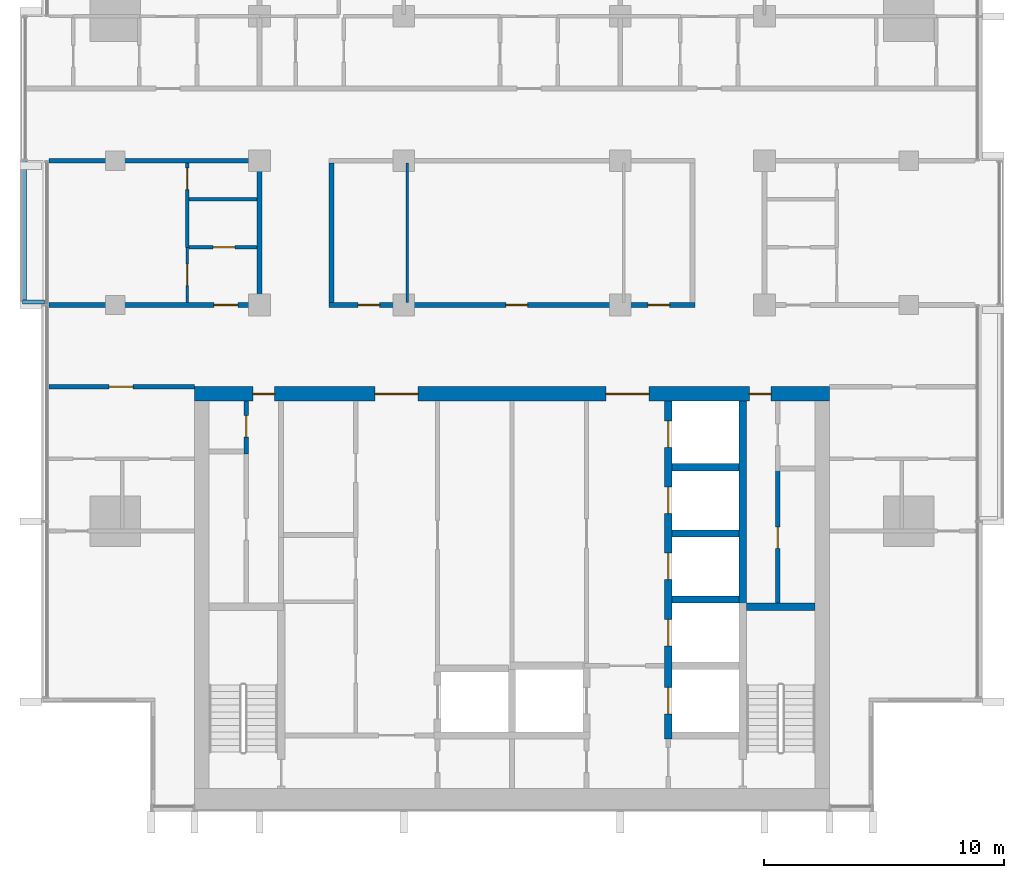
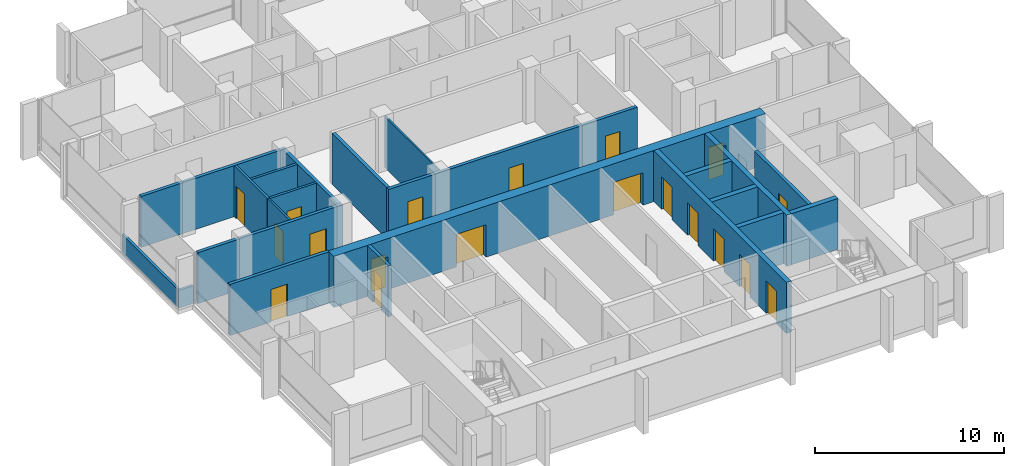
# One storey, part 8 of 16: 22 walls, 19 doors, 19 openings.
"""IFC4 building model written with IfcOpenShell, lengths in metres."""

from ifc_helpers import new_model, si_unit, direction, frame, frame_2d, origin, place, context, subcontext, project, spatial, rectangle, extrude, material, layer, layer_set, type_object, element, fill, save


model = new_model("IFC4")

# Units and contexts
model_context = context("Model", 3, precision=1e-05, world=origin(), true_north=direction((0.0, 1.0)))
body_context = subcontext(model_context, "Body", "Model", "MODEL_VIEW")
ifc_project = project(units=[si_unit("LENGTHUNIT", "METRE"), si_unit("AREAUNIT", "SQUARE_METRE"), si_unit("VOLUMEUNIT", "CUBIC_METRE"), si_unit("PLANEANGLEUNIT", "RADIAN"), si_unit("MASSUNIT", "GRAM", prefix="KILO")], contexts=[model_context])

# Site, building, storey
site_placement = place(None, origin())
site = spatial("IfcSite", under=ifc_project, at=site_placement, CompositionType="ELEMENT")
building_placement = place(site_placement, origin())
building = spatial("IfcBuilding", under=site, at=building_placement, Name="Finial Court Residences", CompositionType="ELEMENT")
storey_placement = place(building_placement, frame((0.0, 0.0, 219.5)))
storey = spatial("IfcBuildingStorey", under=building, at=storey_placement, Name="L55", CompositionType="ELEMENT", Elevation=219.5)

# Wall, openings, doors
ifc_material_1 = material(Name="Concrete C60/75", Category="concrete")
ifc_layer_1 = layer(ifc_material_1, 0.60009765625)
ifc_layer_set_1 = layer_set([ifc_layer_1], Name="Core outer wall 600 Concrete C60/75")
wall_type_1 = type_object("IfcWallType", Name="Core outer wall 600 Concrete C60/75", PredefinedType="SHEAR", material=ifc_layer_set_1)
wall_1_placement = place(storey_placement, frame((-13.199951171875, -8.199951171875, 0.0), z_axis=(0.0, 0.0, 1.0), x_axis=(1.0, 0.0, 0.0)))
wall_1 = element("IfcWall", 1, at=wall_1_placement, inside=storey, type_object=wall_type_1, Name="Core outer wall L55-02", PredefinedType="SHEAR", context=body_context, shape_type="SweptSolid", body=[
    extrude(rectangle(XDim=26.39990234375, YDim=0.60009765625, at=frame_2d((13.199951171875, 0.0))), origin(), (0.0, 0.0, 1.0), 3.300048828125),
])
opening_1_placement = place(wall_1_placement, frame((7.5, 0.0, 0.0)))
opening_1 = element("IfcOpeningElement", 2, at=opening_1_placement, cuts=wall_1, Name="Opening L55-C04", PredefinedType="OPENING", context=body_context, shape_type="SweptSolid", body=[
    extrude(rectangle(XDim=1.800048828125, YDim=2.10009765625, at=frame_2d((0.89990234375, 1.050048828125))), frame((0.0, 0.31005859375, 0.0), z_axis=(0.0, -1.0, 0.0), x_axis=(1.0, 0.0, 0.0)), (0.0, 0.0, 1.0), 0.6201171875),
])
opening_2_placement = place(wall_1_placement, frame((17.10009765625, 0.0, 0.0)))
opening_2 = element("IfcOpeningElement", 3, at=opening_2_placement, cuts=wall_1, Name="Opening L55-C05", PredefinedType="OPENING", context=body_context, shape_type="SweptSolid", body=[
    extrude(rectangle(XDim=1.800048828125, YDim=2.10009765625, at=frame_2d((0.89990234375, 1.050048828125))), frame((0.0, 0.31005859375, 0.0), z_axis=(0.0, -1.0, 0.0), x_axis=(1.0, 0.0, 0.0)), (0.0, 0.0, 1.0), 0.6201171875),
])
opening_3_placement = place(wall_1_placement, frame((2.425048828125, 0.0, 0.0)))
opening_3 = element("IfcOpeningElement", 4, at=opening_3_placement, cuts=wall_1, Name="Opening L55-C10", PredefinedType="OPENING", context=body_context, shape_type="SweptSolid", body=[
    extrude(rectangle(XDim=0.89990234375, YDim=2.10009765625, at=frame_2d((0.449951171875, 1.050048828125))), frame((0.0, 0.31005859375, 0.0), z_axis=(0.0, -1.0, 0.0), x_axis=(1.0, 0.0, 0.0)), (0.0, 0.0, 1.0), 0.6201171875),
])
opening_4_placement = place(wall_1_placement, frame((23.074951171875, 0.0, 0.0)))
opening_4 = element("IfcOpeningElement", 5, at=opening_4_placement, cuts=wall_1, Name="Opening L55-C11", PredefinedType="OPENING", context=body_context, shape_type="SweptSolid", body=[
    extrude(rectangle(XDim=0.89990234375, YDim=2.10009765625, at=frame_2d((0.449951171875, 1.050048828125))), frame((0.0, 0.31005859375, 0.0), z_axis=(0.0, -1.0, 0.0), x_axis=(1.0, 0.0, 0.0)), (0.0, 0.0, 1.0), 0.6201171875),
])
ifc_material_2 = material(Name="Steel fire door", Category="steel")
door_type_1 = type_object("IfcDoorType", Name="Lift lobby door 1800 x 2100 EI 60", OperationType="DOUBLE_DOOR_SINGLE_SWING", PredefinedType="DOOR", material=ifc_material_2)
door_1_placement = place(opening_1_placement, origin())
door_1 = element("IfcDoor", 6, at=door_1_placement, inside=storey, type_object=door_type_1, Name="Lift lobby door L55-C04", OperationType="DOUBLE_DOOR_SINGLE_SWING", OverallHeight=2.10009765625, OverallWidth=1.800048828125, PredefinedType="DOOR", context=body_context, shape_type="SweptSolid", body=[
    extrude(rectangle(XDim=1.800048828125, YDim=2.10009765625, at=frame_2d((0.89990234375, 1.050048828125))), frame((0.0, 0.02490234375, 0.0), z_axis=(0.0, -1.0, 0.0), x_axis=(1.0, 0.0, 0.0)), (0.0, 0.0, 1.0), 0.050048828125),
])
fill(opening_1, door_1)
door_2_placement = place(opening_2_placement, origin())
door_2 = element("IfcDoor", 7, at=door_2_placement, inside=storey, type_object=door_type_1, Name="Lift lobby door L55-C05", OperationType="DOUBLE_DOOR_SINGLE_SWING", OverallHeight=2.10009765625, OverallWidth=1.800048828125, PredefinedType="DOOR", context=body_context, shape_type="SweptSolid", body=[
    extrude(rectangle(XDim=1.800048828125, YDim=2.10009765625, at=frame_2d((0.89990234375, 1.050048828125))), frame((0.0, 0.02490234375, 0.0), z_axis=(0.0, -1.0, 0.0), x_axis=(1.0, 0.0, 0.0)), (0.0, 0.0, 1.0), 0.050048828125),
])
fill(opening_2, door_2)
door_type_2 = type_object("IfcDoorType", Name="Riser room door 900 x 2100 EI 90", OperationType="NOTDEFINED", PredefinedType="DOOR", material=ifc_material_2)
door_3_placement = place(opening_3_placement, origin())
door_3 = element("IfcDoor", 8, at=door_3_placement, inside=storey, type_object=door_type_2, Name="Riser room door L55-C10", OperationType="SINGLE_SWING_RIGHT", OverallHeight=2.10009765625, OverallWidth=0.89990234375, PredefinedType="DOOR", context=body_context, shape_type="SweptSolid", body=[
    extrude(rectangle(XDim=0.89990234375, YDim=2.10009765625, at=frame_2d((0.449951171875, 1.050048828125))), frame((0.0, 0.02490234375, 0.0), z_axis=(0.0, -1.0, 0.0), x_axis=(1.0, 0.0, 0.0)), (0.0, 0.0, 1.0), 0.050048828125),
])
fill(opening_3, door_3)
door_4_placement = place(opening_4_placement, origin())
door_4 = element("IfcDoor", 9, at=door_4_placement, inside=storey, type_object=door_type_2, Name="Riser room door L55-C11", OperationType="SINGLE_SWING_LEFT", OverallHeight=2.10009765625, OverallWidth=0.89990234375, PredefinedType="DOOR", context=body_context, shape_type="SweptSolid", body=[
    extrude(rectangle(XDim=0.89990234375, YDim=2.10009765625, at=frame_2d((0.449951171875, 1.050048828125))), frame((0.0, 0.02490234375, 0.0), z_axis=(0.0, -1.0, 0.0), x_axis=(1.0, 0.0, 0.0)), (0.0, 0.0, 1.0), 0.050048828125),
])
fill(opening_4, door_4)

# Wall, opening, door
ifc_material_3 = material(Name="Gypsum board")
ifc_layer_2 = layer(ifc_material_3, 0.02490234375)
ifc_material_4 = material(Name="Acoustic mineral wool in double frame")
ifc_layer_3 = layer(ifc_material_4, 0.14990234375)
ifc_layer_4 = layer(ifc_material_3, 0.02490234375)
ifc_layer_set_2 = layer_set([ifc_layer_2, ifc_layer_3, ifc_layer_4], Name="Corridor wall 200, 1 hour")
wall_type_2 = type_object("IfcWallType", Name="Corridor wall 200, 1 hour", PredefinedType="PARTITIONING", material=ifc_layer_set_2)
wall_2_placement = place(storey_placement, frame((-19.262451171875, -7.89990234375, 0.0), z_axis=(0.0, 0.0, 1.0), x_axis=(1.0, 0.0, 0.0)))
wall_2 = element("IfcWall", 10, at=wall_2_placement, inside=storey, type_object=wall_type_2, Name="Partition L55-004", PredefinedType="PARTITIONING", context=body_context, shape_type="SweptSolid", body=[
    extrude(rectangle(XDim=6.0625, YDim=0.199951171875, at=frame_2d((3.03125, 0.0))), origin(), (0.0, 0.0, 1.0), 3.300048828125),
])
opening_5_placement = place(wall_2_placement, frame((2.511962890625, 0.0, 0.0)))
opening_5 = element("IfcOpeningElement", 11, at=opening_5_placement, cuts=wall_2, Name="Opening L55-D007", PredefinedType="OPENING", context=body_context, shape_type="SweptSolid", body=[
    extrude(rectangle(XDim=1.0, YDim=2.10009765625, at=frame_2d((0.5, 1.050048828125))), frame((0.0, 0.10986328125, 0.0), z_axis=(0.0, -1.0, 0.0), x_axis=(1.0, 0.0, 0.0)), (0.0, 0.0, 1.0), 0.219970703125),
])
ifc_material_5 = material(Name="Timber door leaf in hollow metal frame", Category="wood")
door_type_3 = type_object("IfcDoorType", Name="Fire door set 1000 x 2100, 30 minutes", OperationType="SINGLE_SWING_LEFT", PredefinedType="DOOR", material=ifc_material_5)
door_5_placement = place(opening_5_placement, origin())
door_5 = element("IfcDoor", 12, at=door_5_placement, inside=storey, type_object=door_type_3, Name="Door L55-D007", OperationType="SINGLE_SWING_RIGHT", OverallHeight=2.10009765625, OverallWidth=1.0, PredefinedType="DOOR", context=body_context, shape_type="SweptSolid", body=[
    extrude(rectangle(XDim=1.0, YDim=2.10009765625, at=frame_2d((0.5, 1.050048828125))), frame((0.0, 0.02490234375, 0.0), z_axis=(0.0, -1.0, 0.0), x_axis=(1.0, 0.0, 0.0)), (0.0, 0.0, 1.0), 0.050048828125),
])
fill(opening_5, door_5)

wall_3_placement = place(storey_placement, frame((-19.262451171875, -4.5, 0.0), z_axis=(0.0, 0.0, 1.0), x_axis=(1.0, 0.0, 0.0)))
wall_3 = element("IfcWall", 13, at=wall_3_placement, inside=storey, type_object=wall_type_2, Name="Partition L55-006", PredefinedType="PARTITIONING", context=body_context, shape_type="SweptSolid", body=[
    extrude(rectangle(XDim=8.862548828125, YDim=0.199951171875, at=frame_2d((4.43115234375, 0.0))), origin(), (0.0, 0.0, 1.0), 3.300048828125),
])
opening_6_placement = place(wall_3_placement, frame((6.862060546875, 0.0, 0.0)))
opening_6 = element("IfcOpeningElement", 14, at=opening_6_placement, cuts=wall_3, Name="Opening L55-D009", PredefinedType="OPENING", context=body_context, shape_type="SweptSolid", body=[
    extrude(rectangle(XDim=1.0, YDim=2.10009765625, at=frame_2d((0.5, 1.050048828125))), frame((0.0, 0.10986328125, 0.0), z_axis=(0.0, -1.0, 0.0), x_axis=(1.0, 0.0, 0.0)), (0.0, 0.0, 1.0), 0.219970703125),
])
door_6_placement = place(opening_6_placement, origin())
door_6 = element("IfcDoor", 15, at=door_6_placement, inside=storey, type_object=door_type_3, Name="Door L55-D009", OperationType="SINGLE_SWING_LEFT", OverallHeight=2.10009765625, OverallWidth=1.0, PredefinedType="DOOR", context=body_context, shape_type="SweptSolid", body=[
    extrude(rectangle(XDim=1.0, YDim=2.10009765625, at=frame_2d((0.5, 1.050048828125))), frame((0.0, 0.02490234375, 0.0), z_axis=(0.0, -1.0, 0.0), x_axis=(1.0, 0.0, 0.0)), (0.0, 0.0, 1.0), 0.050048828125),
])
fill(opening_6, door_6)

# Wall, openings, doors
wall_4_placement = place(storey_placement, frame((-7.60009765625, -4.5, 0.0), z_axis=(0.0, 0.0, 1.0), x_axis=(1.0, 0.0, 0.0)))
wall_4 = element("IfcWall", 16, at=wall_4_placement, inside=storey, type_object=wall_type_2, Name="Partition L55-007", PredefinedType="PARTITIONING", context=body_context, shape_type="SweptSolid", body=[
    extrude(rectangle(XDim=15.2001953125, YDim=0.199951171875, at=frame_2d((7.60009765625, 0.0))), origin(), (0.0, 0.0, 1.0), 3.300048828125),
])
opening_7_placement = place(wall_4_placement, frame((1.199951171875, 0.0, 0.0)))
opening_7 = element("IfcOpeningElement", 17, at=opening_7_placement, cuts=wall_4, Name="Opening L55-D010", PredefinedType="OPENING", context=body_context, shape_type="SweptSolid", body=[
    extrude(rectangle(XDim=0.89990234375, YDim=2.10009765625, at=frame_2d((0.449951171875, 1.050048828125))), frame((0.0, 0.10986328125, 0.0), z_axis=(0.0, -1.0, 0.0), x_axis=(1.0, 0.0, 0.0)), (0.0, 0.0, 1.0), 0.219970703125),
])
opening_8_placement = place(wall_4_placement, frame((7.35009765625, 0.0, 0.0)))
opening_8 = element("IfcOpeningElement", 18, at=opening_8_placement, cuts=wall_4, Name="Opening L55-D011", PredefinedType="OPENING", context=body_context, shape_type="SweptSolid", body=[
    extrude(rectangle(XDim=0.89990234375, YDim=2.10009765625, at=frame_2d((0.449951171875, 1.050048828125))), frame((0.0, 0.10986328125, 0.0), z_axis=(0.0, -1.0, 0.0), x_axis=(1.0, 0.0, 0.0)), (0.0, 0.0, 1.0), 0.219970703125),
])
opening_9_placement = place(wall_4_placement, frame((13.25, 0.0, 0.0)))
opening_9 = element("IfcOpeningElement", 19, at=opening_9_placement, cuts=wall_4, Name="Opening L55-D012", PredefinedType="OPENING", context=body_context, shape_type="SweptSolid", body=[
    extrude(rectangle(XDim=0.89990234375, YDim=2.10009765625, at=frame_2d((0.449951171875, 1.050048828125))), frame((0.0, 0.10986328125, 0.0), z_axis=(0.0, -1.0, 0.0), x_axis=(1.0, 0.0, 0.0)), (0.0, 0.0, 1.0), 0.219970703125),
])
door_type_4 = type_object("IfcDoorType", Name="Fire door set 900 x 2100, 30 minutes", OperationType="SINGLE_SWING_LEFT", PredefinedType="DOOR", material=ifc_material_5)
door_7_placement = place(opening_7_placement, origin())
door_7 = element("IfcDoor", 20, at=door_7_placement, inside=storey, type_object=door_type_4, Name="Door L55-D010", OperationType="SINGLE_SWING_RIGHT", OverallHeight=2.10009765625, OverallWidth=0.89990234375, PredefinedType="DOOR", context=body_context, shape_type="SweptSolid", body=[
    extrude(rectangle(XDim=0.89990234375, YDim=2.10009765625, at=frame_2d((0.449951171875, 1.050048828125))), frame((0.0, 0.02490234375, 0.0), z_axis=(0.0, -1.0, 0.0), x_axis=(1.0, 0.0, 0.0)), (0.0, 0.0, 1.0), 0.050048828125),
])
fill(opening_7, door_7)
door_8_placement = place(opening_8_placement, origin())
door_8 = element("IfcDoor", 21, at=door_8_placement, inside=storey, type_object=door_type_4, Name="Door L55-D011", OperationType="SINGLE_SWING_LEFT", OverallHeight=2.10009765625, OverallWidth=0.89990234375, PredefinedType="DOOR", context=body_context, shape_type="SweptSolid", body=[
    extrude(rectangle(XDim=0.89990234375, YDim=2.10009765625, at=frame_2d((0.449951171875, 1.050048828125))), frame((0.0, 0.02490234375, 0.0), z_axis=(0.0, -1.0, 0.0), x_axis=(1.0, 0.0, 0.0)), (0.0, 0.0, 1.0), 0.050048828125),
])
fill(opening_8, door_8)
door_9_placement = place(opening_9_placement, origin())
door_9 = element("IfcDoor", 22, at=door_9_placement, inside=storey, type_object=door_type_4, Name="Door L55-D012", OperationType="SINGLE_SWING_LEFT", OverallHeight=2.10009765625, OverallWidth=0.89990234375, PredefinedType="DOOR", context=body_context, shape_type="SweptSolid", body=[
    extrude(rectangle(XDim=0.89990234375, YDim=2.10009765625, at=frame_2d((0.449951171875, 1.050048828125))), frame((0.0, 0.02490234375, 0.0), z_axis=(0.0, -1.0, 0.0), x_axis=(1.0, 0.0, 0.0)), (0.0, 0.0, 1.0), 0.050048828125),
])
fill(opening_9, door_9)

# Walls
wall_5_placement = place(storey_placement, frame((-19.262451171875, 1.5, 0.0), z_axis=(0.0, 0.0, 1.0), x_axis=(1.0, 0.0, 0.0)))
element("IfcWall", 23, at=wall_5_placement, inside=storey, type_object=wall_type_2, Name="Partition L55-013", PredefinedType="PARTITIONING", context=body_context, shape_type="SweptSolid", body=[
    extrude(rectangle(XDim=8.862548828125, YDim=0.199951171875, at=frame_2d((4.43115234375, 0.0))), origin(), (0.0, 0.0, 1.0), 3.300048828125),
])
for number, where, z_axis, x_axis, name in (
    (24, (-10.5, -4.39990234375, 0.0), (0.0, 0.0, 1.0), (0.0, 1.0, 0.0), "Partition L55-038"),
    (25, (-7.5, -4.39990234375, 0.0), (0.0, 0.0, 1.0), (0.0, 1.0, 0.0), "Partition L55-042"),
):
    element("IfcWall", number, at=place(storey_placement, frame(where, z_axis=z_axis, x_axis=x_axis)), inside=storey, type_object=wall_type_2, Name=name, PredefinedType="PARTITIONING", context=body_context, shape_type="SweptSolid", body=[
        extrude(rectangle(XDim=5.7998046875, YDim=0.199951171875, at=frame_2d((2.89990234375, 0.0))), origin(), (0.0, 0.0, 1.0), 3.300048828125),
    ])

# Wall, opening, door
ifc_layer_5 = layer(ifc_material_3, 0.012451171875)
ifc_material_6 = material(Name="Mineral wool in light-gauge frame")
ifc_layer_6 = layer(ifc_material_6, 0.074951171875)
ifc_layer_7 = layer(ifc_material_3, 0.012451171875)
ifc_layer_set_3 = layer_set([ifc_layer_5, ifc_layer_6, ifc_layer_7], Name="Gypsum board partition 100")
wall_type_3 = type_object("IfcWallType", Name="Gypsum board partition 100", PredefinedType="PARTITIONING", material=ifc_layer_set_3)
wall_6_placement = place(storey_placement, frame((-13.5, -4.39990234375, 0.0), z_axis=(0.0, 0.0, 1.0), x_axis=(0.0, 1.0, 0.0)))
wall_6 = element("IfcWall", 26, at=wall_6_placement, inside=storey, type_object=wall_type_3, Name="Partition L55-035", PredefinedType="PARTITIONING", context=body_context, shape_type="SweptSolid", body=[
    extrude(rectangle(XDim=2.2998046875, YDim=0.10009765625, at=frame_2d((1.14990234375, 0.0))), origin(), (0.0, 0.0, 1.0), 3.300048828125),
])
opening_10_placement = place(wall_6_placement, frame((0.699951171875, 0.0, 0.0)))
opening_10 = element("IfcOpeningElement", 27, at=opening_10_placement, cuts=wall_6, Name="Opening L55-D027", PredefinedType="OPENING", context=body_context, shape_type="SweptSolid", body=[
    extrude(rectangle(XDim=0.89990234375, YDim=2.10009765625, at=frame_2d((0.449951171875, 1.050048828125))), frame((0.0, 0.06005859375, 0.0), z_axis=(0.0, -1.0, 0.0), x_axis=(1.0, 0.0, 0.0)), (0.0, 0.0, 1.0), 0.1201171875),
])
ifc_material_7 = material(Name="Timber door leaf in timber frame", Category="wood")
door_type_5 = type_object("IfcDoorType", Name="Door set 900 x 2100", OperationType="SINGLE_SWING_LEFT", PredefinedType="DOOR", material=ifc_material_7)
door_10_placement = place(opening_10_placement, origin())
door_10 = element("IfcDoor", 28, at=door_10_placement, inside=storey, type_object=door_type_5, Name="Door L55-D027", OperationType="SINGLE_SWING_LEFT", OverallHeight=2.10009765625, OverallWidth=0.89990234375, PredefinedType="DOOR", context=body_context, shape_type="SweptSolid", body=[
    extrude(rectangle(XDim=0.89990234375, YDim=2.10009765625, at=frame_2d((0.449951171875, 1.050048828125))), frame((0.0, 0.02490234375, 0.0), z_axis=(0.0, -1.0, 0.0), x_axis=(1.0, 0.0, 0.0)), (0.0, 0.0, 1.0), 0.050048828125),
])
fill(opening_10, door_10)

# Wall
wall_7_placement = place(storey_placement, frame((-4.35009765625, -4.39990234375, 0.0), z_axis=(0.0, 0.0, 1.0), x_axis=(0.0, 1.0, 0.0)))
element("IfcWall", 29, at=wall_7_placement, inside=storey, type_object=wall_type_3, Name="Partition L55-047", PredefinedType="PARTITIONING", context=body_context, shape_type="SweptSolid", body=[
    extrude(rectangle(XDim=5.7998046875, YDim=0.10009765625, at=frame_2d((2.89990234375, 0.0))), origin(), (0.0, 0.0, 1.0), 3.300048828125),
])

# Wall, opening, door
ifc_material_8 = material(Name="Moisture-resistant gypsum board")
ifc_layer_8 = layer(ifc_material_8, 0.012451171875)
ifc_layer_9 = layer(ifc_material_6, 0.125)
ifc_layer_10 = layer(ifc_material_8, 0.012451171875)
ifc_layer_set_4 = layer_set([ifc_layer_8, ifc_layer_9, ifc_layer_10], Name="Gypsum board wet-area partition 150")
wall_type_4 = type_object("IfcWallType", Name="Gypsum board wet-area partition 150", PredefinedType="PARTITIONING", material=ifc_layer_set_4)
wall_8_placement = place(storey_placement, frame((-13.425048828125, -2.10009765625, 0.0), z_axis=(0.0, 0.0, 1.0), x_axis=(1.0, 0.0, 0.0)))
wall_8 = element("IfcWall", 30, at=wall_8_placement, inside=storey, type_object=wall_type_4, Name="Partition L55-009", PredefinedType="PARTITIONING", context=body_context, shape_type="SweptSolid", body=[
    extrude(rectangle(XDim=2.824951171875, YDim=0.14990234375, at=frame_2d((1.41259765625, 0.0))), origin(), (0.0, 0.0, 1.0), 3.300048828125),
])
opening_11_placement = place(wall_8_placement, frame((1.0, 0.0, 0.0)))
opening_11 = element("IfcOpeningElement", 31, at=opening_11_placement, cuts=wall_8, Name="Opening L55-D014", PredefinedType="OPENING", context=body_context, shape_type="SweptSolid", body=[
    extrude(rectangle(XDim=0.89990234375, YDim=2.10009765625, at=frame_2d((0.449951171875, 1.050048828125))), frame((0.0, 0.0849609375, 0.0), z_axis=(0.0, -1.0, 0.0), x_axis=(1.0, 0.0, 0.0)), (0.0, 0.0, 1.0), 0.169921875),
])
door_11_placement = place(opening_11_placement, origin())
door_11 = element("IfcDoor", 32, at=door_11_placement, inside=storey, type_object=door_type_5, Name="Door L55-D014", OperationType="SINGLE_SWING_LEFT", OverallHeight=2.10009765625, OverallWidth=0.89990234375, PredefinedType="DOOR", context=body_context, shape_type="SweptSolid", body=[
    extrude(rectangle(XDim=0.89990234375, YDim=2.10009765625, at=frame_2d((0.449951171875, 1.050048828125))), frame((0.0, 0.02490234375, 0.0), z_axis=(0.0, -1.0, 0.0), x_axis=(1.0, 0.0, 0.0)), (0.0, 0.0, 1.0), 0.050048828125),
])
fill(opening_11, door_11)

# Wall
wall_9_placement = place(storey_placement, frame((-13.425048828125, -0.10009765625, 0.0), z_axis=(0.0, 0.0, 1.0), x_axis=(1.0, 0.0, 0.0)))
element("IfcWall", 33, at=wall_9_placement, inside=storey, type_object=wall_type_4, Name="Partition L55-011", PredefinedType="PARTITIONING", context=body_context, shape_type="SweptSolid", body=[
    extrude(rectangle(XDim=2.824951171875, YDim=0.14990234375, at=frame_2d((1.41259765625, 0.0))), origin(), (0.0, 0.0, 1.0), 3.300048828125),
])

# Wall, opening, door
wall_10_placement = place(storey_placement, frame((-13.5, -2.10009765625, 0.0), z_axis=(0.0, 0.0, 1.0), x_axis=(0.0, 1.0, 0.0)))
wall_10 = element("IfcWall", 34, at=wall_10_placement, inside=storey, type_object=wall_type_4, Name="Partition L55-036", PredefinedType="PARTITIONING", context=body_context, shape_type="SweptSolid", body=[
    extrude(rectangle(XDim=3.5, YDim=0.14990234375, at=frame_2d((1.75, 0.0))), origin(), (0.0, 0.0, 1.0), 3.300048828125),
])
opening_12_placement = place(wall_10_placement, frame((2.39990234375, 0.0, 0.0)))
opening_12 = element("IfcOpeningElement", 35, at=opening_12_placement, cuts=wall_10, Name="Opening L55-D028", PredefinedType="OPENING", context=body_context, shape_type="SweptSolid", body=[
    extrude(rectangle(XDim=0.89990234375, YDim=2.10009765625, at=frame_2d((0.449951171875, 1.050048828125))), frame((0.0, 0.0849609375, 0.0), z_axis=(0.0, -1.0, 0.0), x_axis=(1.0, 0.0, 0.0)), (0.0, 0.0, 1.0), 0.169921875),
])
door_12_placement = place(opening_12_placement, origin())
door_12 = element("IfcDoor", 36, at=door_12_placement, inside=storey, type_object=door_type_5, Name="Door L55-D028", OperationType="SINGLE_SWING_RIGHT", OverallHeight=2.10009765625, OverallWidth=0.89990234375, PredefinedType="DOOR", context=body_context, shape_type="SweptSolid", body=[
    extrude(rectangle(XDim=0.89990234375, YDim=2.10009765625, at=frame_2d((0.449951171875, 1.050048828125))), frame((0.0, 0.02490234375, 0.0), z_axis=(0.0, -1.0, 0.0), x_axis=(1.0, 0.0, 0.0)), (0.0, 0.0, 1.0), 0.050048828125),
])
fill(opening_12, door_12)

# Walls
ifc_material_9 = material(Name="Concrete C35/45", Category="concrete")
ifc_layer_11 = layer(ifc_material_9, 0.14990234375)
ifc_layer_set_5 = layer_set([ifc_layer_11], Name="Ledge parapet, Concrete C35/45 150")
wall_type_5 = type_object("IfcWallType", Name="Ledge parapet, Concrete C35/45 150", PredefinedType="PARAPET", material=ifc_layer_set_5)
wall_11_placement = place(storey_placement, frame((-19.447509765625, -4.375, 0.0), z_axis=(0.0, 0.0, 1.0), x_axis=(-1.0, 0.0, 0.0)))
element("IfcWall", 37, at=wall_11_placement, inside=storey, type_object=wall_type_5, Name="E-L55-LED1-P1", PredefinedType="PARAPET", context=body_context, shape_type="SweptSolid", body=[
    extrude(rectangle(XDim=0.902587890625, YDim=0.14990234375, at=frame_2d((0.451171875, 0.0))), origin(), (0.0, 0.0, 1.0), 1.14990234375),
])
wall_12_placement = place(storey_placement, frame((-20.27490234375, -4.300048828125, 0.0), z_axis=(0.0, 0.0, 1.0), x_axis=(0.0, 1.0, 0.0)))
element("IfcWall", 38, at=wall_12_placement, inside=storey, type_object=wall_type_5, Name="E-L55-LED1-P2", PredefinedType="PARAPET", context=body_context, shape_type="SweptSolid", body=[
    extrude(rectangle(XDim=5.8525390625, YDim=0.14990234375, at=frame_2d((2.92626953125, 0.0))), origin(), (0.0, 0.0, 1.0), 1.14990234375),
])
ifc_layer_12 = layer(ifc_material_1, 0.300048828125)
ifc_layer_set_6 = layer_set([ifc_layer_12], Name="Lift shaft and stair wall 300 Concrete C60/75")
wall_type_6 = type_object("IfcWallType", Name="Lift shaft and stair wall 300 Concrete C60/75", PredefinedType="SHEAR", material=ifc_layer_set_6)
wall_13_placement = place(storey_placement, frame((9.75, -17.050048828125, 0.0), z_axis=(0.0, 0.0, 1.0), x_axis=(1.0, 0.0, 0.0)))
element("IfcWall", 39, at=wall_13_placement, inside=storey, type_object=wall_type_6, Name="Core wall L55-09", PredefinedType="SHEAR", context=body_context, shape_type="SweptSolid", body=[
    extrude(rectangle(XDim=2.85009765625, YDim=0.300048828125, at=frame_2d((1.425048828125, 0.0))), origin(), (0.0, 0.0, 1.0), 3.300048828125),
])
for number, where, z_axis, x_axis, name in (
    (40, (6.64990234375, -16.75, 0.0), (0.0, 0.0, 1.0), (1.0, 0.0, 0.0), "Core wall L55-11"),
    (41, (6.64990234375, -14.0, 0.0), (0.0, 0.0, 1.0), (1.0, 0.0, 0.0), "Core wall L55-13"),
    (42, (6.64990234375, -11.25, 0.0), (0.0, 0.0, 1.0), (1.0, 0.0, 0.0), "Core wall L55-15"),
):
    element("IfcWall", number, at=place(storey_placement, frame(where, z_axis=z_axis, x_axis=x_axis)), inside=storey, type_object=wall_type_6, Name=name, PredefinedType="SHEAR", context=body_context, shape_type="SweptSolid", body=[
        extrude(rectangle(XDim=2.800048828125, YDim=0.300048828125, at=frame_2d((1.39990234375, 0.0))), origin(), (0.0, 0.0, 1.0), 3.300048828125),
    ])

# Wall, openings, doors
wall_14_placement = place(storey_placement, frame((6.5, -22.550048828125, 0.0), z_axis=(0.0, 0.0, 1.0), x_axis=(0.0, 1.0, 0.0)))
wall_14 = element("IfcWall", 43, at=wall_14_placement, inside=storey, type_object=wall_type_6, Name="Core wall L55-34", PredefinedType="SHEAR", context=body_context, shape_type="SweptSolid", body=[
    extrude(rectangle(XDim=14.050048828125, YDim=0.300048828125, at=frame_2d((7.02490234375, 0.0))), origin(), (0.0, 0.0, 1.0), 3.300048828125),
])
opening_13_placement = place(wall_14_placement, frame((1.050048828125, 0.0, 0.0)))
opening_13 = element("IfcOpeningElement", 44, at=opening_13_placement, cuts=wall_14, Name="Opening L55-LD02", PredefinedType="OPENING", context=body_context, shape_type="SweptSolid", body=[
    extrude(rectangle(XDim=1.10009765625, YDim=2.10009765625, at=frame_2d((0.550048828125, 1.050048828125))), frame((0.0, 0.159912109375, 0.0), z_axis=(0.0, -1.0, 0.0), x_axis=(1.0, 0.0, 0.0)), (0.0, 0.0, 1.0), 0.320068359375),
])
opening_14_placement = place(wall_14_placement, frame((3.875, 0.0, 0.0)))
opening_14 = element("IfcOpeningElement", 45, at=opening_14_placement, cuts=wall_14, Name="Opening L55-LD03", PredefinedType="OPENING", context=body_context, shape_type="SweptSolid", body=[
    extrude(rectangle(XDim=1.10009765625, YDim=2.10009765625, at=frame_2d((0.550048828125, 1.050048828125))), frame((0.0, 0.159912109375, 0.0), z_axis=(0.0, -1.0, 0.0), x_axis=(1.0, 0.0, 0.0)), (0.0, 0.0, 1.0), 0.320068359375),
])
opening_15_placement = place(wall_14_placement, frame((6.625, 0.0, 0.0)))
opening_15 = element("IfcOpeningElement", 46, at=opening_15_placement, cuts=wall_14, Name="Opening L55-LD04", PredefinedType="OPENING", context=body_context, shape_type="SweptSolid", body=[
    extrude(rectangle(XDim=1.10009765625, YDim=2.10009765625, at=frame_2d((0.550048828125, 1.050048828125))), frame((0.0, 0.159912109375, 0.0), z_axis=(0.0, -1.0, 0.0), x_axis=(1.0, 0.0, 0.0)), (0.0, 0.0, 1.0), 0.320068359375),
])
opening_16_placement = place(wall_14_placement, frame((9.375, 0.0, 0.0)))
opening_16 = element("IfcOpeningElement", 47, at=opening_16_placement, cuts=wall_14, Name="Opening L55-LD05", PredefinedType="OPENING", context=body_context, shape_type="SweptSolid", body=[
    extrude(rectangle(XDim=1.10009765625, YDim=2.10009765625, at=frame_2d((0.550048828125, 1.050048828125))), frame((0.0, 0.159912109375, 0.0), z_axis=(0.0, -1.0, 0.0), x_axis=(1.0, 0.0, 0.0)), (0.0, 0.0, 1.0), 0.320068359375),
])
opening_17_placement = place(wall_14_placement, frame((12.125, 0.0, 0.0)))
opening_17 = element("IfcOpeningElement", 48, at=opening_17_placement, cuts=wall_14, Name="Opening L55-LD06", PredefinedType="OPENING", context=body_context, shape_type="SweptSolid", body=[
    extrude(rectangle(XDim=1.10009765625, YDim=2.10009765625, at=frame_2d((0.550048828125, 1.050048828125))), frame((0.0, 0.159912109375, 0.0), z_axis=(0.0, -1.0, 0.0), x_axis=(1.0, 0.0, 0.0)), (0.0, 0.0, 1.0), 0.320068359375),
])
ifc_material_10 = material(Name="Stainless steel lift door", Category="steel")
door_type_6 = type_object("IfcDoorType", Name="Lift landing door 1100 x 2100 EI 90", OperationType="DOUBLE_DOOR_SLIDING", PredefinedType="DOOR", material=ifc_material_10)
door_13_placement = place(opening_13_placement, origin())
door_13 = element("IfcDoor", 49, at=door_13_placement, inside=storey, type_object=door_type_6, Name="Lift landing door FF2 L55", OperationType="DOUBLE_DOOR_SLIDING", OverallHeight=2.10009765625, OverallWidth=1.10009765625, PredefinedType="DOOR", context=body_context, shape_type="SweptSolid", body=[
    extrude(rectangle(XDim=1.10009765625, YDim=2.10009765625, at=frame_2d((0.550048828125, 1.050048828125))), frame((0.0, 0.02490234375, 0.0), z_axis=(0.0, -1.0, 0.0), x_axis=(1.0, 0.0, 0.0)), (0.0, 0.0, 1.0), 0.050048828125),
])
fill(opening_13, door_13)
door_14_placement = place(opening_14_placement, origin())
door_14 = element("IfcDoor", 50, at=door_14_placement, inside=storey, type_object=door_type_6, Name="Lift landing door HR5 L55", OperationType="DOUBLE_DOOR_SLIDING", OverallHeight=2.10009765625, OverallWidth=1.10009765625, PredefinedType="DOOR", context=body_context, shape_type="SweptSolid", body=[
    extrude(rectangle(XDim=1.10009765625, YDim=2.10009765625, at=frame_2d((0.550048828125, 1.050048828125))), frame((0.0, 0.02490234375, 0.0), z_axis=(0.0, -1.0, 0.0), x_axis=(1.0, 0.0, 0.0)), (0.0, 0.0, 1.0), 0.050048828125),
])
fill(opening_14, door_14)
door_15_placement = place(opening_15_placement, origin())
door_15 = element("IfcDoor", 51, at=door_15_placement, inside=storey, type_object=door_type_6, Name="Lift landing door HR6 L55", OperationType="DOUBLE_DOOR_SLIDING", OverallHeight=2.10009765625, OverallWidth=1.10009765625, PredefinedType="DOOR", context=body_context, shape_type="SweptSolid", body=[
    extrude(rectangle(XDim=1.10009765625, YDim=2.10009765625, at=frame_2d((0.550048828125, 1.050048828125))), frame((0.0, 0.02490234375, 0.0), z_axis=(0.0, -1.0, 0.0), x_axis=(1.0, 0.0, 0.0)), (0.0, 0.0, 1.0), 0.050048828125),
])
fill(opening_15, door_15)
door_16_placement = place(opening_16_placement, origin())
door_16 = element("IfcDoor", 52, at=door_16_placement, inside=storey, type_object=door_type_6, Name="Lift landing door HR7 L55", OperationType="DOUBLE_DOOR_SLIDING", OverallHeight=2.10009765625, OverallWidth=1.10009765625, PredefinedType="DOOR", context=body_context, shape_type="SweptSolid", body=[
    extrude(rectangle(XDim=1.10009765625, YDim=2.10009765625, at=frame_2d((0.550048828125, 1.050048828125))), frame((0.0, 0.02490234375, 0.0), z_axis=(0.0, -1.0, 0.0), x_axis=(1.0, 0.0, 0.0)), (0.0, 0.0, 1.0), 0.050048828125),
])
fill(opening_16, door_16)
door_17_placement = place(opening_17_placement, origin())
door_17 = element("IfcDoor", 53, at=door_17_placement, inside=storey, type_object=door_type_6, Name="Lift landing door HR8 L55", OperationType="DOUBLE_DOOR_SLIDING", OverallHeight=2.10009765625, OverallWidth=1.10009765625, PredefinedType="DOOR", context=body_context, shape_type="SweptSolid", body=[
    extrude(rectangle(XDim=1.10009765625, YDim=2.10009765625, at=frame_2d((0.550048828125, 1.050048828125))), frame((0.0, 0.02490234375, 0.0), z_axis=(0.0, -1.0, 0.0), x_axis=(1.0, 0.0, 0.0)), (0.0, 0.0, 1.0), 0.050048828125),
])
fill(opening_17, door_17)

# Wall
wall_15_placement = place(storey_placement, frame((9.60009765625, -17.199951171875, 0.0), z_axis=(0.0, 0.0, 1.0), x_axis=(0.0, 1.0, 0.0)))
element("IfcWall", 54, at=wall_15_placement, inside=storey, type_object=wall_type_6, Name="Core wall L55-36", PredefinedType="SHEAR", context=body_context, shape_type="SweptSolid", body=[
    extrude(rectangle(XDim=8.699951171875, YDim=0.300048828125, at=frame_2d((4.35009765625, 0.0))), origin(), (0.0, 0.0, 1.0), 3.300048828125),
])

# Wall, opening, door
ifc_material_11 = material(Name="Fire-rated gypsum board partition")
ifc_layer_13 = layer(ifc_material_11, 0.199951171875)
ifc_layer_set_7 = layer_set([ifc_layer_13], Name="Riser room wall 200 EI 120")
wall_type_7 = type_object("IfcWallType", Name="Riser room wall 200 EI 120", PredefinedType="PARTITIONING", material=ifc_layer_set_7)
wall_16_placement = place(storey_placement, frame((-11.050048828125, -10.699951171875, 0.0), z_axis=(0.0, 0.0, 1.0), x_axis=(0.0, 1.0, 0.0)))
wall_16 = element("IfcWall", 55, at=wall_16_placement, inside=storey, type_object=wall_type_7, Name="Core partition L55-18", PredefinedType="PARTITIONING", context=body_context, shape_type="SweptSolid", body=[
    extrude(rectangle(XDim=2.199951171875, YDim=0.199951171875, at=frame_2d((1.10009765625, 0.0))), origin(), (0.0, 0.0, 1.0), 3.300048828125),
])
opening_18_placement = place(wall_16_placement, frame((0.699951171875, 0.0, 0.0)))
opening_18 = element("IfcOpeningElement", 56, at=opening_18_placement, cuts=wall_16, Name="Opening L55-C07", PredefinedType="OPENING", context=body_context, shape_type="SweptSolid", body=[
    extrude(rectangle(XDim=0.89990234375, YDim=2.10009765625, at=frame_2d((0.449951171875, 1.050048828125))), frame((0.0, 0.10986328125, 0.0), z_axis=(0.0, -1.0, 0.0), x_axis=(1.0, 0.0, 0.0)), (0.0, 0.0, 1.0), 0.219970703125),
])
door_18_placement = place(opening_18_placement, origin())
door_18 = element("IfcDoor", 57, at=door_18_placement, inside=storey, type_object=door_type_2, Name="Riser room door L55-C07", OperationType="SINGLE_SWING_LEFT", OverallHeight=2.10009765625, OverallWidth=0.89990234375, PredefinedType="DOOR", context=body_context, shape_type="SweptSolid", body=[
    extrude(rectangle(XDim=0.89990234375, YDim=2.10009765625, at=frame_2d((0.449951171875, 1.050048828125))), frame((0.0, 0.02490234375, 0.0), z_axis=(0.0, -1.0, 0.0), x_axis=(1.0, 0.0, 0.0)), (0.0, 0.0, 1.0), 0.050048828125),
])
fill(opening_18, door_18)

ifc_layer_14 = layer(ifc_material_11, 0.199951171875)
ifc_layer_set_8 = layer_set([ifc_layer_14], Name="Stair passage wall 200 EI 180")
wall_type_8 = type_object("IfcWallType", Name="Stair passage wall 200 EI 180", PredefinedType="PARTITIONING", material=ifc_layer_set_8)
wall_17_placement = place(storey_placement, frame((11.050048828125, -11.199951171875, 0.0), z_axis=(0.0, 0.0, 1.0), x_axis=(0.0, -1.0, 0.0)))
wall_17 = element("IfcWall", 58, at=wall_17_placement, inside=storey, type_object=wall_type_8, Name="Core partition L55-37", PredefinedType="PARTITIONING", context=body_context, shape_type="SweptSolid", body=[
    extrude(rectangle(XDim=5.699951171875, YDim=0.199951171875, at=frame_2d((2.85009765625, 0.0))), origin(), (0.0, 0.0, 1.0), 3.300048828125),
])
opening_19_placement = place(wall_17_placement, frame((2.52490234375, 0.0, 0.0)))
opening_19 = element("IfcOpeningElement", 59, at=opening_19_placement, cuts=wall_17, Name="Opening L55-C14", PredefinedType="OPENING", context=body_context, shape_type="SweptSolid", body=[
    extrude(rectangle(XDim=0.89990234375, YDim=2.10009765625, at=frame_2d((0.449951171875, 1.050048828125))), frame((0.0, 0.10986328125, 0.0), z_axis=(0.0, -1.0, 0.0), x_axis=(1.0, 0.0, 0.0)), (0.0, 0.0, 1.0), 0.219970703125),
])
door_type_7 = type_object("IfcDoorType", Name="Core room door 900 x 2100 EI 60", OperationType="NOTDEFINED", PredefinedType="DOOR", material=ifc_material_2)
door_19_placement = place(opening_19_placement, origin())
door_19 = element("IfcDoor", 60, at=door_19_placement, inside=storey, type_object=door_type_7, Name="Core room door L55-C14", OperationType="SINGLE_SWING_RIGHT", OverallHeight=2.10009765625, OverallWidth=0.89990234375, PredefinedType="DOOR", context=body_context, shape_type="SweptSolid", body=[
    extrude(rectangle(XDim=0.89990234375, YDim=2.10009765625, at=frame_2d((0.449951171875, 1.050048828125))), frame((0.0, 0.02490234375, 0.0), z_axis=(0.0, -1.0, 0.0), x_axis=(1.0, 0.0, 0.0)), (0.0, 0.0, 1.0), 0.050048828125),
])
fill(opening_19, door_19)

save(model, "model.ifc")
